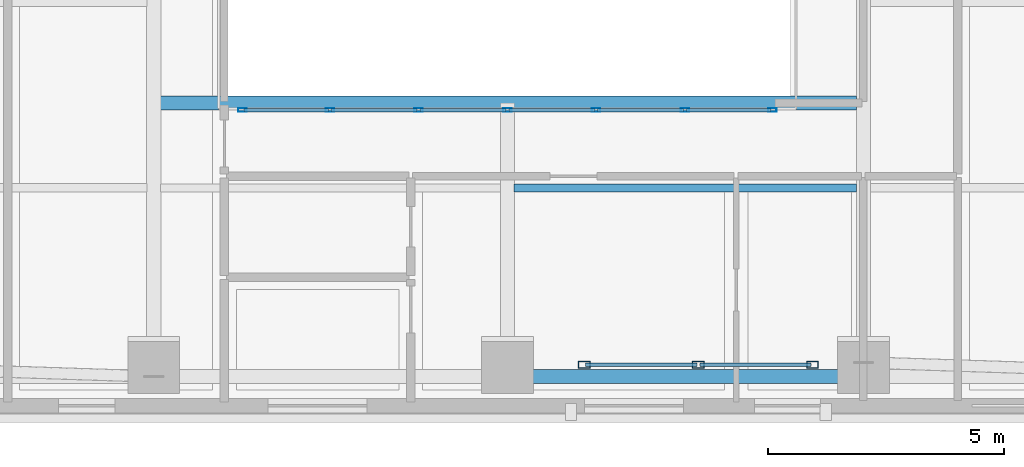
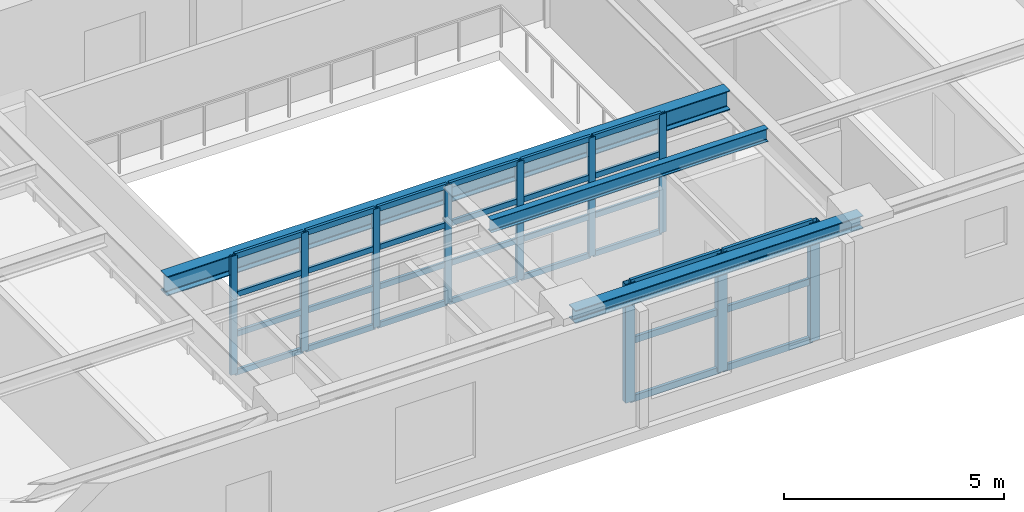
# One storey, part 2 of 13: 40 members, 3 beams, 2 elements without a shape of their own.
"""IFC4 building model written with IfcOpenShell, lengths in metres."""

from ifc_helpers import new_model, si_unit, direction, frame, origin, origin_2d, place, context, subcontext, project, spatial, hollow_rectangle, i_section, extrude, material, layer, layer_set, material_profile, profile_set, type_object, element, aggregate, save


model = new_model("IFC4")

# Units and contexts
model_context = context("Model", 3, precision=1e-05, world=origin(), true_north=direction((0.0, 1.0)))
body_context = subcontext(model_context, "Body", "Model", "MODEL_VIEW")
ifc_project = project(units=[si_unit("LENGTHUNIT", "METRE"), si_unit("AREAUNIT", "SQUARE_METRE"), si_unit("VOLUMEUNIT", "CUBIC_METRE"), si_unit("PLANEANGLEUNIT", "RADIAN"), si_unit("MASSUNIT", "GRAM", prefix="KILO")], contexts=[model_context])

# Site, building, storey
site_placement = place(None, origin())
site = spatial("IfcSite", under=ifc_project, at=site_placement, CompositionType="ELEMENT")
building_placement = place(site_placement, origin())
building = spatial("IfcBuilding", under=site, at=building_placement, Name="Zarnavel Station Tower", CompositionType="ELEMENT")
storey_placement = place(building_placement, frame((0.0, 0.0, 162.550048828125)))
storey = spatial("IfcBuildingStorey", under=building, at=storey_placement, Name="L44", CompositionType="ELEMENT", Elevation=162.550048828125)

# Curtain wall, members
ifc_material_1 = material(Name="Aluminium Dark Anodised and Solar-Control Glass", Category="aluminium")
ifc_layer_1 = layer(ifc_material_1, 0.179931640625)
ifc_layer_set_1 = layer_set([ifc_layer_1], Name="CWS4")
curtain_wall_type_1 = type_object("IfcCurtainWallType", Name="CWS4", PredefinedType="NOTDEFINED", material=ifc_layer_set_1)
curtain_wall_1_placement = place(storey_placement, origin())
curtain_wall_1 = element("IfcCurtainWall", 1, at=curtain_wall_1_placement, inside=storey, type_object=curtain_wall_type_1, Name="L44 Curtain Wall CWS4-L44-AS", PredefinedType="NOTDEFINED")
ifc_material_2 = material(Name="Steel S355J2 (Black Fluoropolymer Coated)", Category="steel")
ifc_material_profile_1 = material_profile(ifc_material_2, hollow_rectangle(XDim=0.080078125, YDim=0.179931640625, WallThickness=0.00634765625, at=origin_2d()), Name="RHS180x80x6.3")
ifc_profile_set_1 = profile_set([ifc_material_profile_1], Name="Steel S355J2 (Black Fluoropolymer Coated)")
member_type_1 = type_object("IfcMemberType", Name="CWS4_MUL", PredefinedType="MULLION", material=ifc_profile_set_1)
member_1_placement = place(storey_placement, frame((23.179931640625, 16.85009765625, 0.0), z_axis=(0.0, 0.0, 1.0), x_axis=(0.0, 1.0, 0.0)))
member_1 = element("IfcMember", 2, at=member_1_placement, type_object=member_type_1, Name="CW4 mullion 1", PredefinedType="MULLION", context=body_context, shape_type="SweptSolid", body=[
    extrude(hollow_rectangle(XDim=0.080078125, YDim=0.179931640625, WallThickness=0.00634765625, at=origin_2d()), origin(), (0.0, 0.0, 1.0), 3.2900390625),
])
member_2_placement = place(storey_placement, frame((25.033447265625, 16.85009765625, 0.0), z_axis=(0.0, 0.0, 1.0), x_axis=(0.0, 1.0, 0.0)))
member_2 = element("IfcMember", 3, at=member_2_placement, type_object=member_type_1, Name="CW4 mullion 2", PredefinedType="MULLION", context=body_context, shape_type="SweptSolid", body=[
    extrude(hollow_rectangle(XDim=0.080078125, YDim=0.179931640625, WallThickness=0.00634765625, at=origin_2d()), origin(), (0.0, 0.0, 1.0), 3.2900390625),
])
member_3_placement = place(storey_placement, frame((26.916748046875, 16.85009765625, 0.0), z_axis=(0.0, 0.0, 1.0), x_axis=(0.0, 1.0, 0.0)))
member_3 = element("IfcMember", 4, at=member_3_placement, type_object=member_type_1, Name="CW4 mullion 3", PredefinedType="MULLION", context=body_context, shape_type="SweptSolid", body=[
    extrude(hollow_rectangle(XDim=0.080078125, YDim=0.179931640625, WallThickness=0.00634765625, at=origin_2d()), origin(), (0.0, 0.0, 1.0), 3.2900390625),
])
member_4_placement = place(storey_placement, frame((28.800048828125, 16.85009765625, 0.0), z_axis=(0.0, 0.0, 1.0), x_axis=(0.0, 1.0, 0.0)))
member_4 = element("IfcMember", 5, at=member_4_placement, type_object=member_type_1, Name="CW4 mullion 4", PredefinedType="MULLION", context=body_context, shape_type="SweptSolid", body=[
    extrude(hollow_rectangle(XDim=0.080078125, YDim=0.179931640625, WallThickness=0.00634765625, at=origin_2d()), origin(), (0.0, 0.0, 1.0), 3.2900390625),
])
member_5_placement = place(storey_placement, frame((30.683349609375, 16.85009765625, 0.0), z_axis=(0.0, 0.0, 1.0), x_axis=(0.0, 1.0, 0.0)))
member_5 = element("IfcMember", 6, at=member_5_placement, type_object=member_type_1, Name="CW4 mullion 5", PredefinedType="MULLION", context=body_context, shape_type="SweptSolid", body=[
    extrude(hollow_rectangle(XDim=0.080078125, YDim=0.179931640625, WallThickness=0.00634765625, at=origin_2d()), origin(), (0.0, 0.0, 1.0), 3.2900390625),
])
member_6_placement = place(storey_placement, frame((32.566650390625, 16.85009765625, 0.0), z_axis=(0.0, 0.0, 1.0), x_axis=(0.0, 1.0, 0.0)))
member_6 = element("IfcMember", 7, at=member_6_placement, type_object=member_type_1, Name="CW4 mullion 6", PredefinedType="MULLION", context=body_context, shape_type="SweptSolid", body=[
    extrude(hollow_rectangle(XDim=0.080078125, YDim=0.179931640625, WallThickness=0.00634765625, at=origin_2d()), origin(), (0.0, 0.0, 1.0), 3.2900390625),
])
member_7_placement = place(storey_placement, frame((34.419921875, 16.85009765625, 0.0), z_axis=(0.0, 0.0, 1.0), x_axis=(0.0, 1.0, 0.0)))
member_7 = element("IfcMember", 8, at=member_7_placement, type_object=member_type_1, Name="CW4 mullion 7", PredefinedType="MULLION", context=body_context, shape_type="SweptSolid", body=[
    extrude(hollow_rectangle(XDim=0.080078125, YDim=0.179931640625, WallThickness=0.00634765625, at=origin_2d()), origin(), (0.0, 0.0, 1.0), 3.2900390625),
])
ifc_material_3 = material(Name="Steel S355J2 (Black Fluoropolymer Coated)", Category="steel")
ifc_material_profile_2 = material_profile(ifc_material_3, hollow_rectangle(XDim=0.074951171875, YDim=0.14990234375, WallThickness=0.00634765625, at=origin_2d()), Name="RHS150x75x6.3")
ifc_profile_set_2 = profile_set([ifc_material_profile_2], Name="Steel S355J2 (Black Fluoropolymer Coated)")
member_type_2 = type_object("IfcMemberType", Name="CWS4_TRN", PredefinedType="USERDEFINED", material=ifc_profile_set_2)
member_8_placement = place(storey_placement, frame((23.2099609375, 16.85009765625, 0.030029296875), z_axis=(1.0, 0.0, 0.0), x_axis=(0.0, 1.0, 0.0)))
member_8 = element("IfcMember", 9, at=member_8_placement, type_object=member_type_2, Name="CW4 transom 1.1", ObjectType="TRANSOM", PredefinedType="USERDEFINED", context=body_context, shape_type="SweptSolid", body=[
    extrude(hollow_rectangle(XDim=0.074951171875, YDim=0.14990234375, WallThickness=0.00634765625, at=origin_2d()), origin(), (0.0, 0.0, 1.0), 1.79345703125),
])
member_9_placement = place(storey_placement, frame((23.2099609375, 16.85009765625, 1.0966796875), z_axis=(1.0, 0.0, 0.0), x_axis=(0.0, 1.0, 0.0)))
member_9 = element("IfcMember", 10, at=member_9_placement, type_object=member_type_2, Name="CW4 transom 1.2", ObjectType="TRANSOM", PredefinedType="USERDEFINED", context=body_context, shape_type="SweptSolid", body=[
    extrude(hollow_rectangle(XDim=0.074951171875, YDim=0.14990234375, WallThickness=0.00634765625, at=origin_2d()), origin(), (0.0, 0.0, 1.0), 1.79345703125),
])
member_10_placement = place(storey_placement, frame((23.2099609375, 16.85009765625, 2.193359375), z_axis=(1.0, 0.0, 0.0), x_axis=(0.0, 1.0, 0.0)))
member_10 = element("IfcMember", 11, at=member_10_placement, type_object=member_type_2, Name="CW4 transom 1.3", ObjectType="TRANSOM", PredefinedType="USERDEFINED", context=body_context, shape_type="SweptSolid", body=[
    extrude(hollow_rectangle(XDim=0.074951171875, YDim=0.14990234375, WallThickness=0.00634765625, at=origin_2d()), origin(), (0.0, 0.0, 1.0), 1.79345703125),
])
member_11_placement = place(storey_placement, frame((23.2099609375, 16.85009765625, 3.260009765625), z_axis=(1.0, 0.0, 0.0), x_axis=(0.0, 1.0, 0.0)))
member_11 = element("IfcMember", 12, at=member_11_placement, type_object=member_type_2, Name="CW4 transom 1.4", ObjectType="TRANSOM", PredefinedType="USERDEFINED", context=body_context, shape_type="SweptSolid", body=[
    extrude(hollow_rectangle(XDim=0.074951171875, YDim=0.14990234375, WallThickness=0.00634765625, at=origin_2d()), origin(), (0.0, 0.0, 1.0), 1.79345703125),
])
member_12_placement = place(storey_placement, frame((25.063232421875, 16.85009765625, 0.030029296875), z_axis=(1.0, 0.0, 0.0), x_axis=(0.0, 1.0, 0.0)))
member_12 = element("IfcMember", 13, at=member_12_placement, type_object=member_type_2, Name="CW4 transom 2.1", ObjectType="TRANSOM", PredefinedType="USERDEFINED", context=body_context, shape_type="SweptSolid", body=[
    extrude(hollow_rectangle(XDim=0.074951171875, YDim=0.14990234375, WallThickness=0.00634765625, at=origin_2d()), origin(), (0.0, 0.0, 1.0), 1.823486328125),
])
member_13_placement = place(storey_placement, frame((25.063232421875, 16.85009765625, 1.0966796875), z_axis=(1.0, 0.0, 0.0), x_axis=(0.0, 1.0, 0.0)))
member_13 = element("IfcMember", 14, at=member_13_placement, type_object=member_type_2, Name="CW4 transom 2.2", ObjectType="TRANSOM", PredefinedType="USERDEFINED", context=body_context, shape_type="SweptSolid", body=[
    extrude(hollow_rectangle(XDim=0.074951171875, YDim=0.14990234375, WallThickness=0.00634765625, at=origin_2d()), origin(), (0.0, 0.0, 1.0), 1.823486328125),
])
member_14_placement = place(storey_placement, frame((25.063232421875, 16.85009765625, 2.193359375), z_axis=(1.0, 0.0, 0.0), x_axis=(0.0, 1.0, 0.0)))
member_14 = element("IfcMember", 15, at=member_14_placement, type_object=member_type_2, Name="CW4 transom 2.3", ObjectType="TRANSOM", PredefinedType="USERDEFINED", context=body_context, shape_type="SweptSolid", body=[
    extrude(hollow_rectangle(XDim=0.074951171875, YDim=0.14990234375, WallThickness=0.00634765625, at=origin_2d()), origin(), (0.0, 0.0, 1.0), 1.823486328125),
])
member_15_placement = place(storey_placement, frame((25.063232421875, 16.85009765625, 3.260009765625), z_axis=(1.0, 0.0, 0.0), x_axis=(0.0, 1.0, 0.0)))
member_15 = element("IfcMember", 16, at=member_15_placement, type_object=member_type_2, Name="CW4 transom 2.4", ObjectType="TRANSOM", PredefinedType="USERDEFINED", context=body_context, shape_type="SweptSolid", body=[
    extrude(hollow_rectangle(XDim=0.074951171875, YDim=0.14990234375, WallThickness=0.00634765625, at=origin_2d()), origin(), (0.0, 0.0, 1.0), 1.823486328125),
])
member_16_placement = place(storey_placement, frame((26.94677734375, 16.85009765625, 0.030029296875), z_axis=(1.0, 0.0, 0.0), x_axis=(0.0, 1.0, 0.0)))
member_16 = element("IfcMember", 17, at=member_16_placement, type_object=member_type_2, Name="CW4 transom 3.1", ObjectType="TRANSOM", PredefinedType="USERDEFINED", context=body_context, shape_type="SweptSolid", body=[
    extrude(hollow_rectangle(XDim=0.074951171875, YDim=0.14990234375, WallThickness=0.00634765625, at=origin_2d()), origin(), (0.0, 0.0, 1.0), 1.8232421875),
])
member_17_placement = place(storey_placement, frame((26.94677734375, 16.85009765625, 1.0966796875), z_axis=(1.0, 0.0, 0.0), x_axis=(0.0, 1.0, 0.0)))
member_17 = element("IfcMember", 18, at=member_17_placement, type_object=member_type_2, Name="CW4 transom 3.2", ObjectType="TRANSOM", PredefinedType="USERDEFINED", context=body_context, shape_type="SweptSolid", body=[
    extrude(hollow_rectangle(XDim=0.074951171875, YDim=0.14990234375, WallThickness=0.00634765625, at=origin_2d()), origin(), (0.0, 0.0, 1.0), 1.8232421875),
])
member_18_placement = place(storey_placement, frame((26.94677734375, 16.85009765625, 2.193359375), z_axis=(1.0, 0.0, 0.0), x_axis=(0.0, 1.0, 0.0)))
member_18 = element("IfcMember", 19, at=member_18_placement, type_object=member_type_2, Name="CW4 transom 3.3", ObjectType="TRANSOM", PredefinedType="USERDEFINED", context=body_context, shape_type="SweptSolid", body=[
    extrude(hollow_rectangle(XDim=0.074951171875, YDim=0.14990234375, WallThickness=0.00634765625, at=origin_2d()), origin(), (0.0, 0.0, 1.0), 1.8232421875),
])
member_19_placement = place(storey_placement, frame((26.94677734375, 16.85009765625, 3.260009765625), z_axis=(1.0, 0.0, 0.0), x_axis=(0.0, 1.0, 0.0)))
member_19 = element("IfcMember", 20, at=member_19_placement, type_object=member_type_2, Name="CW4 transom 3.4", ObjectType="TRANSOM", PredefinedType="USERDEFINED", context=body_context, shape_type="SweptSolid", body=[
    extrude(hollow_rectangle(XDim=0.074951171875, YDim=0.14990234375, WallThickness=0.00634765625, at=origin_2d()), origin(), (0.0, 0.0, 1.0), 1.8232421875),
])
member_20_placement = place(storey_placement, frame((28.830078125, 16.85009765625, 0.030029296875), z_axis=(1.0, 0.0, 0.0), x_axis=(0.0, 1.0, 0.0)))
member_20 = element("IfcMember", 21, at=member_20_placement, type_object=member_type_2, Name="CW4 transom 4.1", ObjectType="TRANSOM", PredefinedType="USERDEFINED", context=body_context, shape_type="SweptSolid", body=[
    extrude(hollow_rectangle(XDim=0.074951171875, YDim=0.14990234375, WallThickness=0.00634765625, at=origin_2d()), origin(), (0.0, 0.0, 1.0), 1.8232421875),
])
member_21_placement = place(storey_placement, frame((28.830078125, 16.85009765625, 1.0966796875), z_axis=(1.0, 0.0, 0.0), x_axis=(0.0, 1.0, 0.0)))
member_21 = element("IfcMember", 22, at=member_21_placement, type_object=member_type_2, Name="CW4 transom 4.2", ObjectType="TRANSOM", PredefinedType="USERDEFINED", context=body_context, shape_type="SweptSolid", body=[
    extrude(hollow_rectangle(XDim=0.074951171875, YDim=0.14990234375, WallThickness=0.00634765625, at=origin_2d()), origin(), (0.0, 0.0, 1.0), 1.8232421875),
])
member_22_placement = place(storey_placement, frame((28.830078125, 16.85009765625, 2.193359375), z_axis=(1.0, 0.0, 0.0), x_axis=(0.0, 1.0, 0.0)))
member_22 = element("IfcMember", 23, at=member_22_placement, type_object=member_type_2, Name="CW4 transom 4.3", ObjectType="TRANSOM", PredefinedType="USERDEFINED", context=body_context, shape_type="SweptSolid", body=[
    extrude(hollow_rectangle(XDim=0.074951171875, YDim=0.14990234375, WallThickness=0.00634765625, at=origin_2d()), origin(), (0.0, 0.0, 1.0), 1.8232421875),
])
member_23_placement = place(storey_placement, frame((28.830078125, 16.85009765625, 3.260009765625), z_axis=(1.0, 0.0, 0.0), x_axis=(0.0, 1.0, 0.0)))
member_23 = element("IfcMember", 24, at=member_23_placement, type_object=member_type_2, Name="CW4 transom 4.4", ObjectType="TRANSOM", PredefinedType="USERDEFINED", context=body_context, shape_type="SweptSolid", body=[
    extrude(hollow_rectangle(XDim=0.074951171875, YDim=0.14990234375, WallThickness=0.00634765625, at=origin_2d()), origin(), (0.0, 0.0, 1.0), 1.8232421875),
])
member_24_placement = place(storey_placement, frame((30.71337890625, 16.85009765625, 0.030029296875), z_axis=(1.0, 0.0, 0.0), x_axis=(0.0, 1.0, 0.0)))
member_24 = element("IfcMember", 25, at=member_24_placement, type_object=member_type_2, Name="CW4 transom 5.1", ObjectType="TRANSOM", PredefinedType="USERDEFINED", context=body_context, shape_type="SweptSolid", body=[
    extrude(hollow_rectangle(XDim=0.074951171875, YDim=0.14990234375, WallThickness=0.00634765625, at=origin_2d()), origin(), (0.0, 0.0, 1.0), 1.8232421875),
])
member_25_placement = place(storey_placement, frame((30.71337890625, 16.85009765625, 1.0966796875), z_axis=(1.0, 0.0, 0.0), x_axis=(0.0, 1.0, 0.0)))
member_25 = element("IfcMember", 26, at=member_25_placement, type_object=member_type_2, Name="CW4 transom 5.2", ObjectType="TRANSOM", PredefinedType="USERDEFINED", context=body_context, shape_type="SweptSolid", body=[
    extrude(hollow_rectangle(XDim=0.074951171875, YDim=0.14990234375, WallThickness=0.00634765625, at=origin_2d()), origin(), (0.0, 0.0, 1.0), 1.8232421875),
])
member_26_placement = place(storey_placement, frame((30.71337890625, 16.85009765625, 2.193359375), z_axis=(1.0, 0.0, 0.0), x_axis=(0.0, 1.0, 0.0)))
member_26 = element("IfcMember", 27, at=member_26_placement, type_object=member_type_2, Name="CW4 transom 5.3", ObjectType="TRANSOM", PredefinedType="USERDEFINED", context=body_context, shape_type="SweptSolid", body=[
    extrude(hollow_rectangle(XDim=0.074951171875, YDim=0.14990234375, WallThickness=0.00634765625, at=origin_2d()), origin(), (0.0, 0.0, 1.0), 1.8232421875),
])
member_27_placement = place(storey_placement, frame((30.71337890625, 16.85009765625, 3.260009765625), z_axis=(1.0, 0.0, 0.0), x_axis=(0.0, 1.0, 0.0)))
member_27 = element("IfcMember", 28, at=member_27_placement, type_object=member_type_2, Name="CW4 transom 5.4", ObjectType="TRANSOM", PredefinedType="USERDEFINED", context=body_context, shape_type="SweptSolid", body=[
    extrude(hollow_rectangle(XDim=0.074951171875, YDim=0.14990234375, WallThickness=0.00634765625, at=origin_2d()), origin(), (0.0, 0.0, 1.0), 1.8232421875),
])
member_28_placement = place(storey_placement, frame((32.5966796875, 16.85009765625, 0.030029296875), z_axis=(1.0, 0.0, 0.0), x_axis=(0.0, 1.0, 0.0)))
member_28 = element("IfcMember", 29, at=member_28_placement, type_object=member_type_2, Name="CW4 transom 6.1", ObjectType="TRANSOM", PredefinedType="USERDEFINED", context=body_context, shape_type="SweptSolid", body=[
    extrude(hollow_rectangle(XDim=0.074951171875, YDim=0.14990234375, WallThickness=0.00634765625, at=origin_2d()), origin(), (0.0, 0.0, 1.0), 1.793212890625),
])
member_29_placement = place(storey_placement, frame((32.5966796875, 16.85009765625, 1.0966796875), z_axis=(1.0, 0.0, 0.0), x_axis=(0.0, 1.0, 0.0)))
member_29 = element("IfcMember", 30, at=member_29_placement, type_object=member_type_2, Name="CW4 transom 6.2", ObjectType="TRANSOM", PredefinedType="USERDEFINED", context=body_context, shape_type="SweptSolid", body=[
    extrude(hollow_rectangle(XDim=0.074951171875, YDim=0.14990234375, WallThickness=0.00634765625, at=origin_2d()), origin(), (0.0, 0.0, 1.0), 1.793212890625),
])
member_30_placement = place(storey_placement, frame((32.5966796875, 16.85009765625, 2.193359375), z_axis=(1.0, 0.0, 0.0), x_axis=(0.0, 1.0, 0.0)))
member_30 = element("IfcMember", 31, at=member_30_placement, type_object=member_type_2, Name="CW4 transom 6.3", ObjectType="TRANSOM", PredefinedType="USERDEFINED", context=body_context, shape_type="SweptSolid", body=[
    extrude(hollow_rectangle(XDim=0.074951171875, YDim=0.14990234375, WallThickness=0.00634765625, at=origin_2d()), origin(), (0.0, 0.0, 1.0), 1.793212890625),
])
member_31_placement = place(storey_placement, frame((32.5966796875, 16.85009765625, 3.260009765625), z_axis=(1.0, 0.0, 0.0), x_axis=(0.0, 1.0, 0.0)))
member_31 = element("IfcMember", 32, at=member_31_placement, type_object=member_type_2, Name="CW4 transom 6.4", ObjectType="TRANSOM", PredefinedType="USERDEFINED", context=body_context, shape_type="SweptSolid", body=[
    extrude(hollow_rectangle(XDim=0.074951171875, YDim=0.14990234375, WallThickness=0.00634765625, at=origin_2d()), origin(), (0.0, 0.0, 1.0), 1.793212890625),
])
aggregate(curtain_wall_1, [member_1, member_2, member_3, member_4, member_5, member_6, member_7, member_8, member_9, member_10, member_11, member_12, member_13, member_14, member_15, member_16, member_17, member_18, member_19, member_20, member_21, member_22, member_23, member_24, member_25, member_26, member_27, member_28, member_29, member_30, member_31])

ifc_material_4 = material(Name="Aluminium Dark Anodised and Solar-Control Glass", Category="aluminium")
ifc_layer_2 = layer(ifc_material_4, 0.179931640625)
ifc_layer_set_2 = layer_set([ifc_layer_2], Name="CWS6")
curtain_wall_type_2 = type_object("IfcCurtainWallType", Name="CWS6", PredefinedType="NOTDEFINED", material=ifc_layer_set_2)
curtain_wall_2_placement = place(storey_placement, origin())
curtain_wall_2 = element("IfcCurtainWall", 33, at=curtain_wall_2_placement, inside=storey, type_object=curtain_wall_type_2, Name="L44 Curtain Wall CWS6-LOG-L44", PredefinedType="NOTDEFINED")
ifc_material_5 = material(Name="Steel S355J2 (Black Fluoropolymer Coated)", Category="steel")
ifc_material_profile_3 = material_profile(ifc_material_5, hollow_rectangle(XDim=0.14990234375, YDim=0.25, WallThickness=0.010009765625, at=origin_2d()), Name="RHS250x150x10")
ifc_profile_set_3 = profile_set([ifc_material_profile_3], Name="Steel S355J2 (Black Fluoropolymer Coated)")
member_type_3 = type_object("IfcMemberType", Name="CWS6_MUL", PredefinedType="MULLION", material=ifc_profile_set_3)
member_32_placement = place(storey_placement, frame((30.429931640625, 11.449951171875, 0.0), z_axis=(0.0, 0.0, 1.0), x_axis=(0.0, 1.0, 0.0)))
member_32 = element("IfcMember", 34, at=member_32_placement, type_object=member_type_3, Name="CW6 mullion 1", PredefinedType="MULLION", context=body_context, shape_type="SweptSolid", body=[
    extrude(hollow_rectangle(XDim=0.14990234375, YDim=0.25, WallThickness=0.010009765625, at=origin_2d()), origin(), (0.0, 0.0, 1.0), 3.2900390625),
])
member_33_placement = place(storey_placement, frame((32.85009765625, 11.449951171875, 0.0), z_axis=(0.0, 0.0, 1.0), x_axis=(0.0, 1.0, 0.0)))
member_33 = element("IfcMember", 35, at=member_33_placement, type_object=member_type_3, Name="CW6 mullion 2", PredefinedType="MULLION", context=body_context, shape_type="SweptSolid", body=[
    extrude(hollow_rectangle(XDim=0.14990234375, YDim=0.25, WallThickness=0.010009765625, at=origin_2d()), origin(), (0.0, 0.0, 1.0), 3.2900390625),
])
member_34_placement = place(storey_placement, frame((35.27001953125, 11.449951171875, 0.0), z_axis=(0.0, 0.0, 1.0), x_axis=(0.0, 1.0, 0.0)))
member_34 = element("IfcMember", 36, at=member_34_placement, type_object=member_type_3, Name="CW6 mullion 3", PredefinedType="MULLION", context=body_context, shape_type="SweptSolid", body=[
    extrude(hollow_rectangle(XDim=0.14990234375, YDim=0.25, WallThickness=0.010009765625, at=origin_2d()), origin(), (0.0, 0.0, 1.0), 3.2900390625),
])
ifc_material_6 = material(Name="Steel S355J2 (Black Fluoropolymer Coated)", Category="steel")
ifc_material_profile_4 = material_profile(ifc_material_6, hollow_rectangle(XDim=0.080078125, YDim=0.179931640625, WallThickness=0.00634765625, at=origin_2d()), Name="RHS180x80x6.3")
ifc_profile_set_4 = profile_set([ifc_material_profile_4], Name="Steel S355J2 (Black Fluoropolymer Coated)")
member_type_4 = type_object("IfcMemberType", Name="CWS6_TRN", PredefinedType="USERDEFINED", material=ifc_profile_set_4)
member_35_placement = place(storey_placement, frame((30.4599609375, 11.449951171875, 0.030029296875), z_axis=(1.0, 0.0, 0.0), x_axis=(0.0, 1.0, 0.0)))
member_35 = element("IfcMember", 37, at=member_35_placement, type_object=member_type_4, Name="CW6 transom 1.1", ObjectType="TRANSOM", PredefinedType="USERDEFINED", context=body_context, shape_type="SweptSolid", body=[
    extrude(hollow_rectangle(XDim=0.080078125, YDim=0.179931640625, WallThickness=0.00634765625, at=origin_2d()), origin(), (0.0, 0.0, 1.0), 2.360107421875),
])
member_36_placement = place(storey_placement, frame((30.4599609375, 11.449951171875, 1.64501953125), z_axis=(1.0, 0.0, 0.0), x_axis=(0.0, 1.0, 0.0)))
member_36 = element("IfcMember", 38, at=member_36_placement, type_object=member_type_4, Name="CW6 transom 1.2", ObjectType="TRANSOM", PredefinedType="USERDEFINED", context=body_context, shape_type="SweptSolid", body=[
    extrude(hollow_rectangle(XDim=0.080078125, YDim=0.179931640625, WallThickness=0.00634765625, at=origin_2d()), origin(), (0.0, 0.0, 1.0), 2.360107421875),
])
member_37_placement = place(storey_placement, frame((30.4599609375, 11.449951171875, 3.260009765625), z_axis=(1.0, 0.0, 0.0), x_axis=(0.0, 1.0, 0.0)))
member_37 = element("IfcMember", 39, at=member_37_placement, type_object=member_type_4, Name="CW6 transom 1.3", ObjectType="TRANSOM", PredefinedType="USERDEFINED", context=body_context, shape_type="SweptSolid", body=[
    extrude(hollow_rectangle(XDim=0.080078125, YDim=0.179931640625, WallThickness=0.00634765625, at=origin_2d()), origin(), (0.0, 0.0, 1.0), 2.360107421875),
])
member_38_placement = place(storey_placement, frame((32.8798828125, 11.449951171875, 0.030029296875), z_axis=(1.0, 0.0, 0.0), x_axis=(0.0, 1.0, 0.0)))
member_38 = element("IfcMember", 40, at=member_38_placement, type_object=member_type_4, Name="CW6 transom 2.1", ObjectType="TRANSOM", PredefinedType="USERDEFINED", context=body_context, shape_type="SweptSolid", body=[
    extrude(hollow_rectangle(XDim=0.080078125, YDim=0.179931640625, WallThickness=0.00634765625, at=origin_2d()), origin(), (0.0, 0.0, 1.0), 2.360107421875),
])
member_39_placement = place(storey_placement, frame((32.8798828125, 11.449951171875, 1.64501953125), z_axis=(1.0, 0.0, 0.0), x_axis=(0.0, 1.0, 0.0)))
member_39 = element("IfcMember", 41, at=member_39_placement, type_object=member_type_4, Name="CW6 transom 2.2", ObjectType="TRANSOM", PredefinedType="USERDEFINED", context=body_context, shape_type="SweptSolid", body=[
    extrude(hollow_rectangle(XDim=0.080078125, YDim=0.179931640625, WallThickness=0.00634765625, at=origin_2d()), origin(), (0.0, 0.0, 1.0), 2.360107421875),
])
member_40_placement = place(storey_placement, frame((32.8798828125, 11.449951171875, 3.260009765625), z_axis=(1.0, 0.0, 0.0), x_axis=(0.0, 1.0, 0.0)))
member_40 = element("IfcMember", 42, at=member_40_placement, type_object=member_type_4, Name="CW6 transom 2.3", ObjectType="TRANSOM", PredefinedType="USERDEFINED", context=body_context, shape_type="SweptSolid", body=[
    extrude(hollow_rectangle(XDim=0.080078125, YDim=0.179931640625, WallThickness=0.00634765625, at=origin_2d()), origin(), (0.0, 0.0, 1.0), 2.360107421875),
])
aggregate(curtain_wall_2, [member_32, member_33, member_34, member_35, member_36, member_37, member_38, member_39, member_40])

# Beams
ifc_material_7 = material(Name="Steel S355J2", Category="steel")
ifc_material_profile_5 = material_profile(ifc_material_7, i_section(OverallWidth=0.300048828125, OverallDepth=0.360107421875, WebThickness=0.012451171875, FlangeThickness=0.0224609375, FilletRadius=0.027099609375, at=origin_2d()), Name="HEB360")
ifc_profile_set_5 = profile_set([ifc_material_profile_5], Name="Steel S355J2")
beam_type_1 = type_object("IfcBeamType", Name="EB_HEB360", PredefinedType="SPANDREL", material=ifc_profile_set_5)
beam_1_placement = place(storey_placement, frame((28.800048828125, 11.19970703125, 3.10986328125), z_axis=(1.0, 0.0, 0.0), x_axis=(0.0, 1.0, 0.0)))
element("IfcBeam", 43, at=beam_1_placement, inside=storey, type_object=beam_type_1, Name="L44 South Raked Spandrel 3", PredefinedType="SPANDREL", context=body_context, shape_type="SweptSolid", body=[
    extrude(i_section(OverallWidth=0.300048828125, OverallDepth=0.360107421875, WebThickness=0.012451171875, FlangeThickness=0.0224609375, FilletRadius=0.027099609375, at=origin_2d()), origin(), (0.0, 0.0, 1.0), 7.550048828125),
])
ifc_material_8 = material(Name="Steel S355J2", Category="steel")
ifc_material_profile_6 = material_profile(ifc_material_8, i_section(OverallWidth=0.300048828125, OverallDepth=0.5400390625, WebThickness=0.012451171875, FlangeThickness=0.02392578125, FilletRadius=0.027099609375, at=origin_2d()), Name="HEA550")
ifc_profile_set_6 = profile_set([ifc_material_profile_6], Name="Steel S355J2")
beam_type_2 = type_object("IfcBeamType", Name="FB_HEA550", PredefinedType="BEAM", material=ifc_profile_set_6)
beam_2_placement = place(storey_placement, frame((21.445068359375, 17.0, 3.02001953125), z_axis=(1.0, 0.0, 0.0), x_axis=(0.0, 1.0, 0.0)))
element("IfcBeam", 44, at=beam_2_placement, inside=storey, type_object=beam_type_2, Name="L44 Atrium South Edge Girder", PredefinedType="BEAM", context=body_context, shape_type="SweptSolid", body=[
    extrude(i_section(OverallWidth=0.300048828125, OverallDepth=0.5400390625, WebThickness=0.012451171875, FlangeThickness=0.02392578125, FilletRadius=0.027099609375, at=origin_2d()), origin(), (0.0, 0.0, 1.0), 14.760009765625),
])
ifc_material_9 = material(Name="Steel S355J2", Category="steel")
ifc_material_profile_7 = material_profile(ifc_material_9, i_section(OverallWidth=0.169921875, OverallDepth=0.360107421875, WebThickness=0.008056640625, FlangeThickness=0.0126953125, FilletRadius=0.01806640625, at=origin_2d()), Name="IPE360")
ifc_profile_set_7 = profile_set([ifc_material_profile_7], Name="Steel S355J2")
beam_type_3 = type_object("IfcBeamType", Name="FJ_IPE360", PredefinedType="JOIST", material=ifc_profile_set_7)
beam_3_placement = place(storey_placement, frame((28.945068359375, 15.19970703125, 3.10986328125), z_axis=(1.0, 0.0, 0.0), x_axis=(0.0, 1.0, 0.0)))
element("IfcBeam", 45, at=beam_3_placement, inside=storey, type_object=beam_type_3, Name="L44 Mid-East Joist 1", PredefinedType="JOIST", context=body_context, shape_type="SweptSolid", body=[
    extrude(i_section(OverallWidth=0.169921875, OverallDepth=0.360107421875, WebThickness=0.008056640625, FlangeThickness=0.0126953125, FilletRadius=0.01806640625, at=origin_2d()), origin(), (0.0, 0.0, 1.0), 7.260009765625),
])

save(model, "model.ifc")
